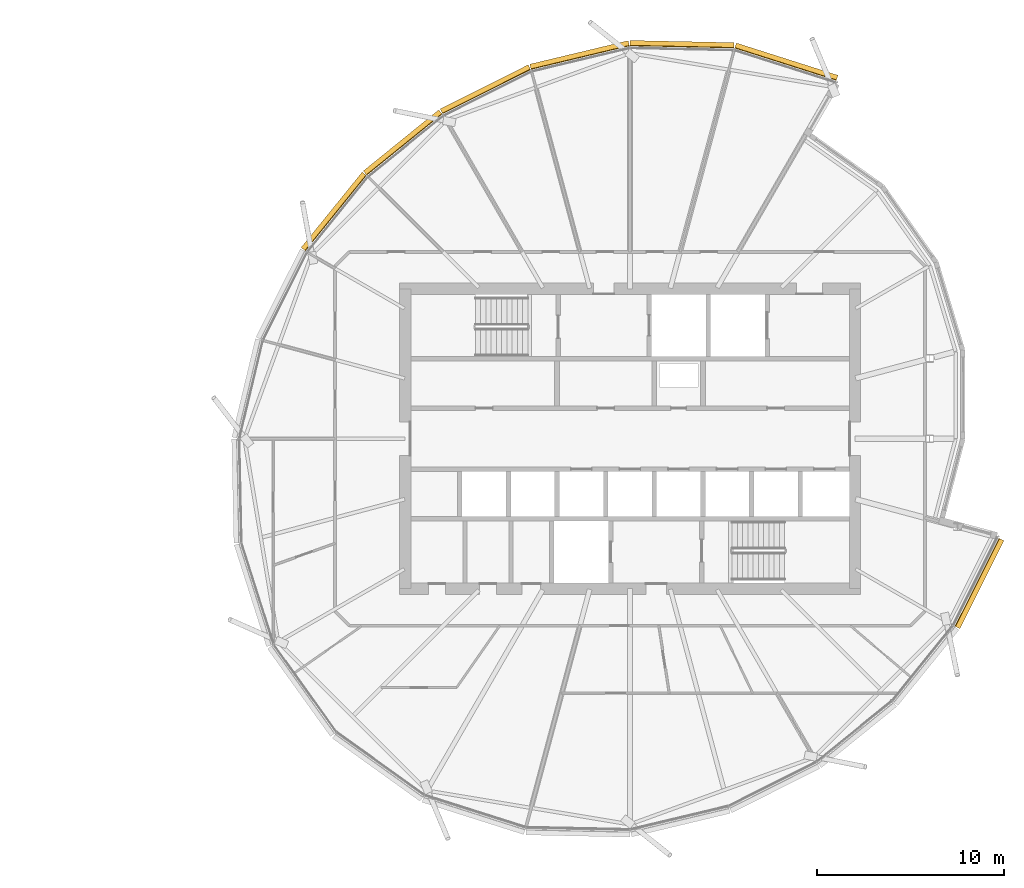
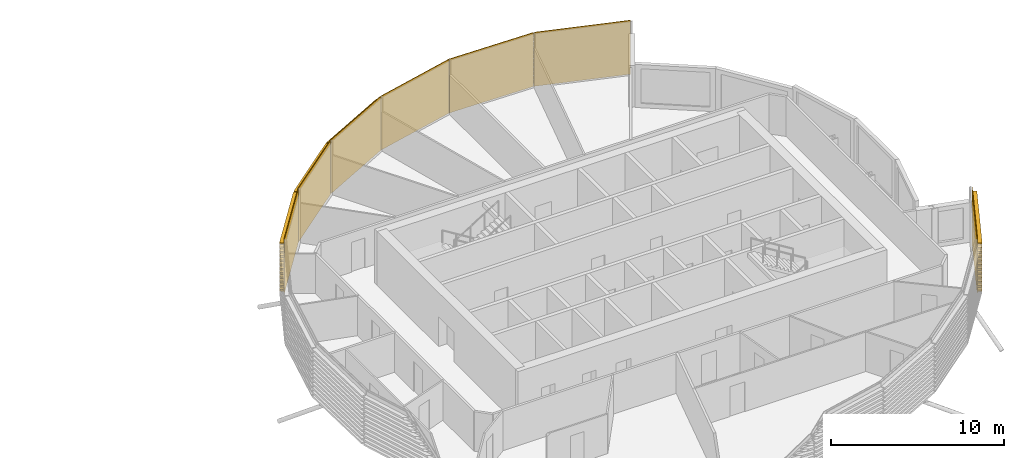
# One storey, part 37 of 37: 7 coverings.
"""IFC4 building model written with IfcOpenShell, lengths in metres."""

from ifc_helpers import new_model, si_unit, direction, frame, origin, place, context, subcontext, project, spatial, polyline, outline, extrude, material, material_profile, profile_set, type_object, element, save


model = new_model("IFC4")

# Units and contexts
model_context = context("Model", 3, precision=1e-05, world=origin(), true_north=direction((0.0, 1.0)))
body_context = subcontext(model_context, "Body", "Model", "MODEL_VIEW")
ifc_project = project(units=[si_unit("LENGTHUNIT", "METRE"), si_unit("AREAUNIT", "SQUARE_METRE"), si_unit("VOLUMEUNIT", "CUBIC_METRE"), si_unit("PLANEANGLEUNIT", "RADIAN"), si_unit("MASSUNIT", "GRAM", prefix="KILO")], contexts=[model_context])

# Site, building, storey
site_placement = place(None, origin())
site = spatial("IfcSite", under=ifc_project, at=site_placement, CompositionType="ELEMENT")
building_placement = place(site_placement, origin())
building = spatial("IfcBuilding", under=site, at=building_placement, Name="Rimbun Link Towers", CompositionType="ELEMENT")
storey_placement = place(building_placement, frame((0.0, 0.0, 177.89990234375)))
storey = spatial("IfcBuildingStorey", under=building, at=storey_placement, Name="L43", CompositionType="ELEMENT", Elevation=177.89990234375)

# Coverings
ifc_material = material(Name="Terracotta", Category="masonry")
ifc_material_profile = material_profile(ifc_material, outline(polyline([(0.123046875, 0.0), (0.1630859375, 0.0), (0.1630859375, 0.10009765625), (0.423095703125, 0.10009765625), (0.423095703125, 0.219970703125), (0.1630859375, 0.219970703125), (0.1630859375, 0.39990234375), (0.423095703125, 0.39990234375), (0.423095703125, 0.52001953125), (0.1630859375, 0.52001953125), (0.1630859375, 0.699951171875), (0.423095703125, 0.699951171875), (0.423095703125, 0.820068359375), (0.1630859375, 0.820068359375), (0.1630859375, 1.0), (0.423095703125, 1.0), (0.423095703125, 1.1201171875), (0.1630859375, 1.1201171875), (0.1630859375, 1.300048828125), (0.423095703125, 1.300048828125), (0.423095703125, 1.419921875), (0.1630859375, 1.419921875), (0.1630859375, 1.60009765625), (0.423095703125, 1.60009765625), (0.423095703125, 1.719970703125), (0.1630859375, 1.719970703125), (0.1630859375, 1.89990234375), (0.423095703125, 1.89990234375), (0.423095703125, 2.02001953125), (0.1630859375, 2.02001953125), (0.1630859375, 2.199951171875), (0.423095703125, 2.199951171875), (0.423095703125, 2.320068359375), (0.1630859375, 2.320068359375), (0.1630859375, 2.5), (0.423095703125, 2.5), (0.423095703125, 2.6201171875), (0.1630859375, 2.6201171875), (0.1630859375, 2.800048828125), (0.423095703125, 2.800048828125), (0.423095703125, 2.919921875), (0.1630859375, 2.919921875), (0.1630859375, 3.10009765625), (0.423095703125, 3.10009765625), (0.423095703125, 3.219970703125), (0.1630859375, 3.219970703125), (0.1630859375, 3.39990234375), (0.423095703125, 3.39990234375), (0.423095703125, 3.52001953125), (0.1630859375, 3.52001953125), (0.1630859375, 3.800048828125), (0.123046875, 3.800048828125), (0.123046875, 0.0)])), Name="BAGUETTE 120X300")
ifc_profile_set = profile_set([ifc_material_profile], Name="Terracotta")
covering_type = type_object("IfcCoveringType", Name="TERRACOTTA BAGUETTE 120X300 H3800", PredefinedType="CLADDING", material=ifc_profile_set)
covering_1_placement = place(storey_placement, frame((37.30078125, 20.71630859375, 0.0), z_axis=(0.952961883101, -0.30309016704, 0.0), x_axis=(0.30309016704, 0.952961883101, 0.0)))
element("IfcCovering", 1, at=covering_1_placement, inside=storey, type_object=covering_type, Name="TERRACOTTA BAGUETTE", PredefinedType="CLADDING", context=body_context, shape_type="SweptSolid", body=[
    extrude(outline(polyline([(0.123046875, 0.0), (0.1630859375, 0.0), (0.1630859375, 0.10009765625), (0.423095703125, 0.10009765625), (0.423095703125, 0.219970703125), (0.1630859375, 0.219970703125), (0.1630859375, 0.39990234375), (0.423095703125, 0.39990234375), (0.423095703125, 0.52001953125), (0.1630859375, 0.52001953125), (0.1630859375, 0.699951171875), (0.423095703125, 0.699951171875), (0.423095703125, 0.820068359375), (0.1630859375, 0.820068359375), (0.1630859375, 1.0), (0.423095703125, 1.0), (0.423095703125, 1.1201171875), (0.1630859375, 1.1201171875), (0.1630859375, 1.300048828125), (0.423095703125, 1.300048828125), (0.423095703125, 1.419921875), (0.1630859375, 1.419921875), (0.1630859375, 1.60009765625), (0.423095703125, 1.60009765625), (0.423095703125, 1.719970703125), (0.1630859375, 1.719970703125), (0.1630859375, 1.89990234375), (0.423095703125, 1.89990234375), (0.423095703125, 2.02001953125), (0.1630859375, 2.02001953125), (0.1630859375, 2.199951171875), (0.423095703125, 2.199951171875), (0.423095703125, 2.320068359375), (0.1630859375, 2.320068359375), (0.1630859375, 2.5), (0.423095703125, 2.5), (0.423095703125, 2.6201171875), (0.1630859375, 2.6201171875), (0.1630859375, 2.800048828125), (0.423095703125, 2.800048828125), (0.423095703125, 2.919921875), (0.1630859375, 2.919921875), (0.1630859375, 3.10009765625), (0.423095703125, 3.10009765625), (0.423095703125, 3.219970703125), (0.1630859375, 3.219970703125), (0.1630859375, 3.39990234375), (0.423095703125, 3.39990234375), (0.423095703125, 3.52001953125), (0.1630859375, 3.52001953125), (0.1630859375, 3.800048828125), (0.123046875, 3.800048828125), (0.123046875, 0.0)])), origin(), (0.0, 0.0, 1.0), 5.682861328125),
])
covering_2_placement = place(storey_placement, frame((31.75, 20.8330078125, 0.0), z_axis=(0.999779070487, -0.021019282006, 0.0), x_axis=(0.021019282006, 0.999779070487, 0.0)))
element("IfcCovering", 2, at=covering_2_placement, inside=storey, type_object=covering_type, Name="TERRACOTTA BAGUETTE", PredefinedType="CLADDING", context=body_context, shape_type="SweptSolid", body=[
    extrude(outline(polyline([(0.123046875, 0.0), (0.1630859375, 0.0), (0.1630859375, 0.10009765625), (0.423095703125, 0.10009765625), (0.423095703125, 0.219970703125), (0.1630859375, 0.219970703125), (0.1630859375, 0.39990234375), (0.423095703125, 0.39990234375), (0.423095703125, 0.52001953125), (0.1630859375, 0.52001953125), (0.1630859375, 0.699951171875), (0.423095703125, 0.699951171875), (0.423095703125, 0.820068359375), (0.1630859375, 0.820068359375), (0.1630859375, 1.0), (0.423095703125, 1.0), (0.423095703125, 1.1201171875), (0.1630859375, 1.1201171875), (0.1630859375, 1.300048828125), (0.423095703125, 1.300048828125), (0.423095703125, 1.419921875), (0.1630859375, 1.419921875), (0.1630859375, 1.60009765625), (0.423095703125, 1.60009765625), (0.423095703125, 1.719970703125), (0.1630859375, 1.719970703125), (0.1630859375, 1.89990234375), (0.423095703125, 1.89990234375), (0.423095703125, 2.02001953125), (0.1630859375, 2.02001953125), (0.1630859375, 2.199951171875), (0.423095703125, 2.199951171875), (0.423095703125, 2.320068359375), (0.1630859375, 2.320068359375), (0.1630859375, 2.5), (0.423095703125, 2.5), (0.423095703125, 2.6201171875), (0.1630859375, 2.6201171875), (0.1630859375, 2.800048828125), (0.423095703125, 2.800048828125), (0.423095703125, 2.919921875), (0.1630859375, 2.919921875), (0.1630859375, 3.10009765625), (0.423095703125, 3.10009765625), (0.423095703125, 3.219970703125), (0.1630859375, 3.219970703125), (0.1630859375, 3.39990234375), (0.423095703125, 3.39990234375), (0.423095703125, 3.52001953125), (0.1630859375, 3.52001953125), (0.1630859375, 3.800048828125), (0.123046875, 3.800048828125), (0.123046875, 0.0)])), origin(), (0.0, 0.0, 1.0), 5.552001953125),
])
covering_3_placement = place(storey_placement, frame((26.50390625, 19.57861328125, 0.0), z_axis=(0.972583342783, 0.232554598623, 0.0), x_axis=(-0.232554598623, 0.972583342783, 0.0)))
element("IfcCovering", 3, at=covering_3_placement, inside=storey, type_object=covering_type, Name="TERRACOTTA BAGUETTE", PredefinedType="CLADDING", context=body_context, shape_type="SweptSolid", body=[
    extrude(outline(polyline([(0.123046875, 0.0), (0.1630859375, 0.0), (0.1630859375, 0.10009765625), (0.423095703125, 0.10009765625), (0.423095703125, 0.219970703125), (0.1630859375, 0.219970703125), (0.1630859375, 0.39990234375), (0.423095703125, 0.39990234375), (0.423095703125, 0.52001953125), (0.1630859375, 0.52001953125), (0.1630859375, 0.699951171875), (0.423095703125, 0.699951171875), (0.423095703125, 0.820068359375), (0.1630859375, 0.820068359375), (0.1630859375, 1.0), (0.423095703125, 1.0), (0.423095703125, 1.1201171875), (0.1630859375, 1.1201171875), (0.1630859375, 1.300048828125), (0.423095703125, 1.300048828125), (0.423095703125, 1.419921875), (0.1630859375, 1.419921875), (0.1630859375, 1.60009765625), (0.423095703125, 1.60009765625), (0.423095703125, 1.719970703125), (0.1630859375, 1.719970703125), (0.1630859375, 1.89990234375), (0.423095703125, 1.89990234375), (0.423095703125, 2.02001953125), (0.1630859375, 2.02001953125), (0.1630859375, 2.199951171875), (0.423095703125, 2.199951171875), (0.423095703125, 2.320068359375), (0.1630859375, 2.320068359375), (0.1630859375, 2.5), (0.423095703125, 2.5), (0.423095703125, 2.6201171875), (0.1630859375, 2.6201171875), (0.1630859375, 2.800048828125), (0.423095703125, 2.800048828125), (0.423095703125, 2.919921875), (0.1630859375, 2.919921875), (0.1630859375, 3.10009765625), (0.423095703125, 3.10009765625), (0.423095703125, 3.219970703125), (0.1630859375, 3.219970703125), (0.1630859375, 3.39990234375), (0.423095703125, 3.39990234375), (0.423095703125, 3.52001953125), (0.1630859375, 3.52001953125), (0.1630859375, 3.800048828125), (0.123046875, 3.800048828125), (0.123046875, 0.0)])), origin(), (0.0, 0.0, 1.0), 5.39404296875),
])
covering_4_placement = place(storey_placement, frame((21.807861328125, 17.22021484375, 0.0), z_axis=(0.89363599571, 0.448792499015, 0.0), x_axis=(-0.448792499015, 0.89363599571, 0.0)))
element("IfcCovering", 4, at=covering_4_placement, inside=storey, type_object=covering_type, Name="TERRACOTTA BAGUETTE", PredefinedType="CLADDING", context=body_context, shape_type="SweptSolid", body=[
    extrude(outline(polyline([(0.123046875, 0.0), (0.1630859375, 0.0), (0.1630859375, 0.10009765625), (0.423095703125, 0.10009765625), (0.423095703125, 0.219970703125), (0.1630859375, 0.219970703125), (0.1630859375, 0.39990234375), (0.423095703125, 0.39990234375), (0.423095703125, 0.52001953125), (0.1630859375, 0.52001953125), (0.1630859375, 0.699951171875), (0.423095703125, 0.699951171875), (0.423095703125, 0.820068359375), (0.1630859375, 0.820068359375), (0.1630859375, 1.0), (0.423095703125, 1.0), (0.423095703125, 1.1201171875), (0.1630859375, 1.1201171875), (0.1630859375, 1.300048828125), (0.423095703125, 1.300048828125), (0.423095703125, 1.419921875), (0.1630859375, 1.419921875), (0.1630859375, 1.60009765625), (0.423095703125, 1.60009765625), (0.423095703125, 1.719970703125), (0.1630859375, 1.719970703125), (0.1630859375, 1.89990234375), (0.423095703125, 1.89990234375), (0.423095703125, 2.02001953125), (0.1630859375, 2.02001953125), (0.1630859375, 2.199951171875), (0.423095703125, 2.199951171875), (0.423095703125, 2.320068359375), (0.1630859375, 2.320068359375), (0.1630859375, 2.5), (0.423095703125, 2.5), (0.423095703125, 2.6201171875), (0.1630859375, 2.6201171875), (0.1630859375, 2.800048828125), (0.423095703125, 2.800048828125), (0.423095703125, 2.919921875), (0.1630859375, 2.919921875), (0.1630859375, 3.10009765625), (0.423095703125, 3.10009765625), (0.423095703125, 3.219970703125), (0.1630859375, 3.219970703125), (0.1630859375, 3.39990234375), (0.423095703125, 3.39990234375), (0.423095703125, 3.52001953125), (0.1630859375, 3.52001953125), (0.1630859375, 3.800048828125), (0.123046875, 3.800048828125), (0.123046875, 0.0)])), origin(), (0.0, 0.0, 1.0), 5.2548828125),
])
for number, where, z_axis, x_axis, name in (
    (5, (17.78564453125, 13.96435546875, 0.0), (0.777265745149, 0.629172441718, 0.0), (-0.629172441718, 0.777265745149, 0.0), "TERRACOTTA BAGUETTE"),
    (6, (14.52978515625, 9.942138671875, 0.0), (0.629172441718, 0.777265745149, 0.0), (-0.777265745149, 0.629172441718, 0.0), "TERRACOTTA BAGUETTE"),
):
    element("IfcCovering", number, at=place(storey_placement, frame(where, z_axis=z_axis, x_axis=x_axis)), inside=storey, type_object=covering_type, Name=name, PredefinedType="CLADDING", context=body_context, shape_type="SweptSolid", body=[
        extrude(outline(polyline([(0.123046875, 0.0), (0.1630859375, 0.0), (0.1630859375, 0.10009765625), (0.423095703125, 0.10009765625), (0.423095703125, 0.219970703125), (0.1630859375, 0.219970703125), (0.1630859375, 0.39990234375), (0.423095703125, 0.39990234375), (0.423095703125, 0.52001953125), (0.1630859375, 0.52001953125), (0.1630859375, 0.699951171875), (0.423095703125, 0.699951171875), (0.423095703125, 0.820068359375), (0.1630859375, 0.820068359375), (0.1630859375, 1.0), (0.423095703125, 1.0), (0.423095703125, 1.1201171875), (0.1630859375, 1.1201171875), (0.1630859375, 1.300048828125), (0.423095703125, 1.300048828125), (0.423095703125, 1.419921875), (0.1630859375, 1.419921875), (0.1630859375, 1.60009765625), (0.423095703125, 1.60009765625), (0.423095703125, 1.719970703125), (0.1630859375, 1.719970703125), (0.1630859375, 1.89990234375), (0.423095703125, 1.89990234375), (0.423095703125, 2.02001953125), (0.1630859375, 2.02001953125), (0.1630859375, 2.199951171875), (0.423095703125, 2.199951171875), (0.423095703125, 2.320068359375), (0.1630859375, 2.320068359375), (0.1630859375, 2.5), (0.423095703125, 2.5), (0.423095703125, 2.6201171875), (0.1630859375, 2.6201171875), (0.1630859375, 2.800048828125), (0.423095703125, 2.800048828125), (0.423095703125, 2.919921875), (0.1630859375, 2.919921875), (0.1630859375, 3.10009765625), (0.423095703125, 3.10009765625), (0.423095703125, 3.219970703125), (0.1630859375, 3.219970703125), (0.1630859375, 3.39990234375), (0.423095703125, 3.39990234375), (0.423095703125, 3.52001953125), (0.1630859375, 3.52001953125), (0.1630859375, 3.800048828125), (0.123046875, 3.800048828125), (0.123046875, 0.0)])), origin(), (0.0, 0.0, 1.0), 5.1748046875),
    ])
covering_5_placement = place(storey_placement, frame((51.32861328125, -5.24609375, 0.0), z_axis=(-0.448792499015, -0.89363599571, 0.0), x_axis=(0.89363599571, -0.448792499015, 0.0)))
element("IfcCovering", 7, at=covering_5_placement, inside=storey, type_object=covering_type, Name="TERRACOTTA BAGUETTE", PredefinedType="CLADDING", context=body_context, shape_type="SweptSolid", body=[
    extrude(outline(polyline([(0.123046875, 0.0), (0.1630859375, 0.0), (0.1630859375, 0.10009765625), (0.423095703125, 0.10009765625), (0.423095703125, 0.219970703125), (0.1630859375, 0.219970703125), (0.1630859375, 0.39990234375), (0.423095703125, 0.39990234375), (0.423095703125, 0.52001953125), (0.1630859375, 0.52001953125), (0.1630859375, 0.699951171875), (0.423095703125, 0.699951171875), (0.423095703125, 0.820068359375), (0.1630859375, 0.820068359375), (0.1630859375, 1.0), (0.423095703125, 1.0), (0.423095703125, 1.1201171875), (0.1630859375, 1.1201171875), (0.1630859375, 1.300048828125), (0.423095703125, 1.300048828125), (0.423095703125, 1.419921875), (0.1630859375, 1.419921875), (0.1630859375, 1.60009765625), (0.423095703125, 1.60009765625), (0.423095703125, 1.719970703125), (0.1630859375, 1.719970703125), (0.1630859375, 1.89990234375), (0.423095703125, 1.89990234375), (0.423095703125, 2.02001953125), (0.1630859375, 2.02001953125), (0.1630859375, 2.199951171875), (0.423095703125, 2.199951171875), (0.423095703125, 2.320068359375), (0.1630859375, 2.320068359375), (0.1630859375, 2.5), (0.423095703125, 2.5), (0.423095703125, 2.6201171875), (0.1630859375, 2.6201171875), (0.1630859375, 2.800048828125), (0.423095703125, 2.800048828125), (0.423095703125, 2.919921875), (0.1630859375, 2.919921875), (0.1630859375, 3.10009765625), (0.423095703125, 3.10009765625), (0.423095703125, 3.219970703125), (0.1630859375, 3.219970703125), (0.1630859375, 3.39990234375), (0.423095703125, 3.39990234375), (0.423095703125, 3.52001953125), (0.1630859375, 3.52001953125), (0.1630859375, 3.800048828125), (0.123046875, 3.800048828125), (0.123046875, 0.0)])), origin(), (0.0, 0.0, 1.0), 5.2548828125),
])

save(model, "model.ifc")
